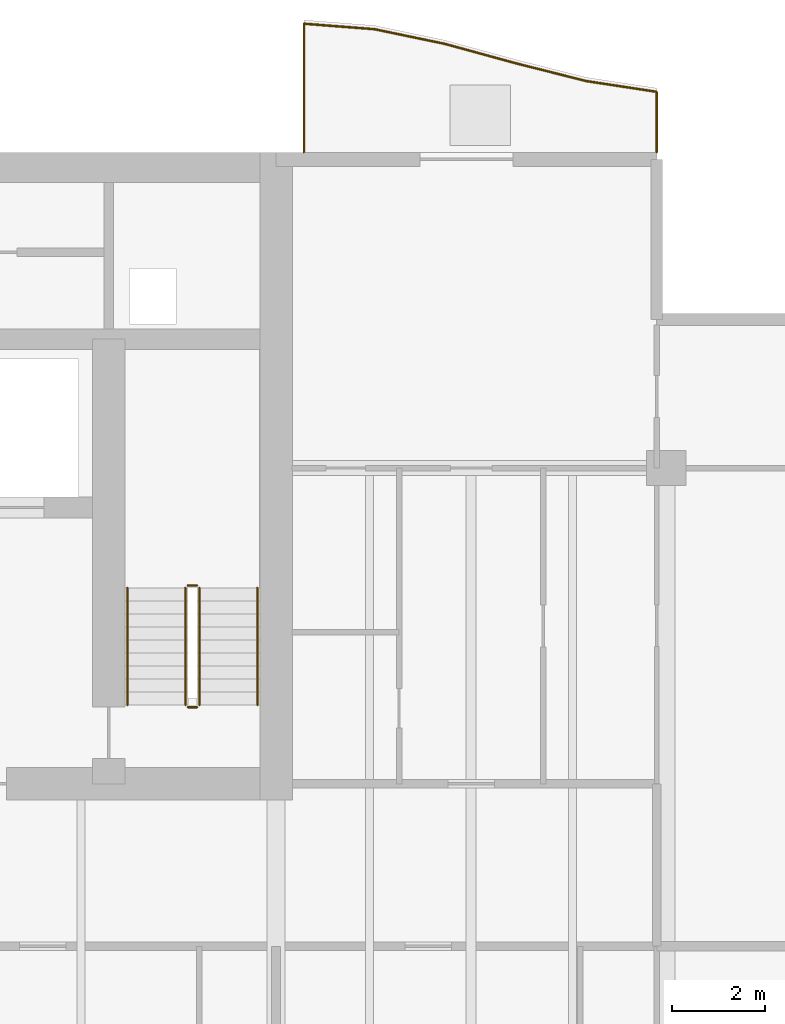
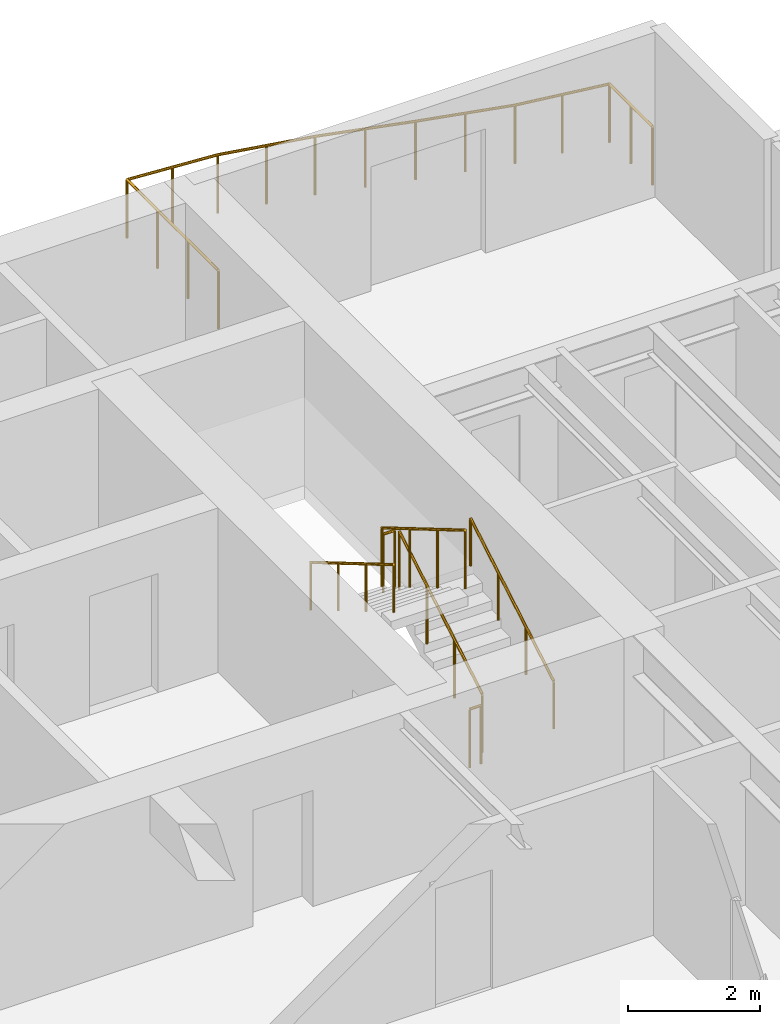
# One storey, part 18 of 19: 7 railings.
"""IFC4 building model written with IfcOpenShell, lengths in metres."""

from ifc_helpers import new_model, si_unit, direction, frame, origin, origin_2d, place, context, subcontext, project, spatial, circle, extrude, material, type_object, element, save


model = new_model("IFC4")

# Units and contexts
model_context = context("Model", 3, precision=1e-05, world=origin(), true_north=direction((0.0, 1.0)))
body_context = subcontext(model_context, "Body", "Model", "MODEL_VIEW")
ifc_project = project(units=[si_unit("LENGTHUNIT", "METRE"), si_unit("AREAUNIT", "SQUARE_METRE"), si_unit("VOLUMEUNIT", "CUBIC_METRE"), si_unit("PLANEANGLEUNIT", "RADIAN"), si_unit("MASSUNIT", "GRAM", prefix="KILO")], contexts=[model_context])

# Site, building, storey
site_placement = place(None, origin())
site = spatial("IfcSite", under=ifc_project, at=site_placement, CompositionType="ELEMENT")
building_placement = place(site_placement, origin())
building = spatial("IfcBuilding", under=site, at=building_placement, Name="Caelmar Bay Residences", CompositionType="ELEMENT")
storey_placement = place(building_placement, frame((0.0, 0.0, 191.699951171875)))
storey = spatial("IfcBuildingStorey", under=building, at=storey_placement, Name="L53", CompositionType="ELEMENT", Elevation=191.699951171875)

# Railings
ifc_material_1 = material(Name="Anodised bronze handrail with laminated hurricane glass infill", Category="glass")
railing_type_1 = type_object("IfcRailingType", Name="RL-BAL-1100", PredefinedType="BALUSTRADE", material=ifc_material_1)
railing_1_placement = place(storey_placement, frame((67.699951171875, 50.60009765625, 0.0)))
element("IfcRailing", 1, at=railing_1_placement, inside=storey, type_object=railing_type_1, Name="L53 north_east Balcony Balustrade", PredefinedType="BALUSTRADE", context=body_context, shape_type="SweptSolid", body=[
    extrude(circle(Radius=0.02392578125, at=origin_2d()), frame((0.0, 0.0, 1.076171875), z_axis=(0.0, 1.0, 0.0), x_axis=(-1.0, 0.0, 0.0)), (0.0, 0.0, 1.0), 1.30322265625),
    extrude(circle(Radius=0.02392578125, at=origin_2d()), frame((0.0, 1.30322265625, 1.076171875), z_axis=(-0.988581843738, 0.150684897158, 0.0), x_axis=(-0.150684897158, -0.988581843738, 0.0)), (0.0, 0.0, 1.0), 1.53759765625),
    extrude(circle(Radius=0.02392578125, at=origin_2d()), frame((-1.52001953125, 1.534912109375, 1.076171875), z_axis=(-0.969497919705, 0.245099538326, 0.0), x_axis=(-0.245099538326, -0.969497919705, 0.0)), (0.0, 0.0, 1.0), 1.56787109375),
    extrude(circle(Radius=0.02392578125, at=origin_2d()), frame((-3.0400390625, 1.919189453125, 1.076171875), z_axis=(-0.964527479323, 0.263982464627, 0.0), x_axis=(-0.263982464627, -0.964527479323, 0.0)), (0.0, 0.0, 1.0), 1.575927734375),
    extrude(circle(Radius=0.02392578125, at=origin_2d()), frame((-4.56005859375, 2.335205078125, 1.076171875), z_axis=(-0.978976494466, 0.20397309451, 0.0), x_axis=(-0.20397309451, -0.978976494466, 0.0)), (0.0, 0.0, 1.0), 1.552490234375),
    extrude(circle(Radius=0.02392578125, at=origin_2d()), frame((-6.079833984375, 2.65185546875, 1.076171875), z_axis=(-0.996991988413, 0.077504677544, 0.0), x_axis=(-0.077504677544, -0.996991988413, 0.0)), (0.0, 0.0, 1.0), 1.524658203125),
    extrude(circle(Radius=0.02392578125, at=origin_2d()), frame((-7.599853515625, 2.77001953125, 1.076171875), z_axis=(0.0, -1.0, 0.0), x_axis=(1.0, 0.0, 0.0)), (0.0, 0.0, 1.0), 2.77001953125),
    extrude(circle(Radius=0.02099609375, at=origin_2d()), origin(), (0.0, 0.0, 1.0), 1.052001953125),
    extrude(circle(Radius=0.02099609375, at=origin_2d()), frame((0.0, 0.651611328125, 0.0)), (0.0, 0.0, 1.0), 1.052001953125),
    extrude(circle(Radius=0.02099609375, at=origin_2d()), frame((0.0, 1.30322265625, 0.0)), (0.0, 0.0, 1.0), 1.052001953125),
    extrude(circle(Radius=0.02099609375, at=origin_2d()), frame((-0.760009765625, 1.4189453125, 0.0)), (0.0, 0.0, 1.0), 1.052001953125),
    extrude(circle(Radius=0.02099609375, at=origin_2d()), frame((-1.52001953125, 1.534912109375, 0.0)), (0.0, 0.0, 1.0), 1.052001953125),
    extrude(circle(Radius=0.02099609375, at=origin_2d()), frame((-2.280029296875, 1.72705078125, 0.0)), (0.0, 0.0, 1.0), 1.052001953125),
    extrude(circle(Radius=0.02099609375, at=origin_2d()), frame((-3.0400390625, 1.919189453125, 0.0)), (0.0, 0.0, 1.0), 1.052001953125),
    extrude(circle(Radius=0.02099609375, at=origin_2d()), frame((-3.800048828125, 2.127197265625, 0.0)), (0.0, 0.0, 1.0), 1.052001953125),
    extrude(circle(Radius=0.02099609375, at=origin_2d()), frame((-4.56005859375, 2.335205078125, 0.0)), (0.0, 0.0, 1.0), 1.052001953125),
    extrude(circle(Radius=0.02099609375, at=origin_2d()), frame((-5.31982421875, 2.49365234375, 0.0)), (0.0, 0.0, 1.0), 1.052001953125),
    extrude(circle(Radius=0.02099609375, at=origin_2d()), frame((-6.079833984375, 2.65185546875, 0.0)), (0.0, 0.0, 1.0), 1.052001953125),
    extrude(circle(Radius=0.02099609375, at=origin_2d()), frame((-6.83984375, 2.7109375, 0.0)), (0.0, 0.0, 1.0), 1.052001953125),
    extrude(circle(Radius=0.02099609375, at=origin_2d()), frame((-7.599853515625, 2.77001953125, 0.0)), (0.0, 0.0, 1.0), 1.052001953125),
    extrude(circle(Radius=0.02099609375, at=origin_2d()), frame((-7.599853515625, 1.8466796875, 0.0)), (0.0, 0.0, 1.0), 1.052001953125),
    extrude(circle(Radius=0.02099609375, at=origin_2d()), frame((-7.599853515625, 0.92333984375, 0.0)), (0.0, 0.0, 1.0), 1.052001953125),
    extrude(circle(Radius=0.02099609375, at=origin_2d()), frame((-7.599853515625, 0.0, 0.0)), (0.0, 0.0, 1.0), 1.052001953125),
])
ifc_material_2 = material(Name="Painted galvanized steel stair guard 1100 mm", Category="steel")
railing_type_2 = type_object("IfcRailingType", Name="RL-GRD-1100", PredefinedType="GUARDRAIL", material=ifc_material_2)
railing_2_placement = place(storey_placement, frame((57.85009765625, 38.699951171875, 0.1650390625)))
element("IfcRailing", 2, at=railing_2_placement, inside=storey, type_object=railing_type_2, Name="L53 ST2 stair guard 1", PredefinedType="GUARDRAIL", context=body_context, shape_type="SweptSolid", body=[
    extrude(circle(Radius=0.02392578125, at=origin_2d()), frame((0.0, 0.0, 1.076171875), z_axis=(0.0, 0.86152411907, 0.507716645641), x_axis=(-1.0, 0.0, 0.0)), (0.0, 0.0, 1.0), 2.925048828125),
    extrude(circle(Radius=0.02099609375, at=origin_2d()), origin(), (0.0, 0.0, 1.0), 1.052001953125),
    extrude(circle(Radius=0.02099609375, at=origin_2d()), frame((0.0, 0.840087890625, 0.4951171875)), (0.0, 0.0, 1.0), 1.052001953125),
    extrude(circle(Radius=0.02099609375, at=origin_2d()), frame((0.0, 1.679931640625, 0.989990234375)), (0.0, 0.0, 1.0), 1.052001953125),
    extrude(circle(Radius=0.02099609375, at=origin_2d()), frame((0.0, 2.52001953125, 1.485107421875)), (0.0, 0.0, 1.0), 1.052001953125),
])
railing_3_placement = place(storey_placement, frame((57.800048828125, 41.27001953125, 1.650146484375)))
element("IfcRailing", 3, at=railing_3_placement, inside=storey, type_object=railing_type_2, Name="L53 ST2 stair guard 2", PredefinedType="GUARDRAIL", context=body_context, shape_type="SweptSolid", body=[
    extrude(circle(Radius=0.02392578125, at=origin_2d()), frame((0.0, 0.0, 1.076171875), z_axis=(-1.0, 0.0, 0.0), x_axis=(0.0, -1.0, 0.0)), (0.0, 0.0, 1.0), 0.199951171875),
    extrude(circle(Radius=0.02099609375, at=origin_2d()), origin(), (0.0, 0.0, 1.0), 1.052001953125),
    extrude(circle(Radius=0.02099609375, at=origin_2d()), frame((-0.199951171875, 0.0, 0.0)), (0.0, 0.0, 1.0), 1.052001953125),
])
railing_4_placement = place(storey_placement, frame((57.550048828125, 41.219970703125, 1.81494140625)))
element("IfcRailing", 4, at=railing_4_placement, inside=storey, type_object=railing_type_2, Name="L53 ST2 stair guard 3", PredefinedType="GUARDRAIL", context=body_context, shape_type="SweptSolid", body=[
    extrude(circle(Radius=0.02392578125, at=origin_2d()), frame((0.0, 0.0, 1.076171875), z_axis=(0.0, -0.86152411907, 0.507716645641), x_axis=(1.0, 0.0, 0.0)), (0.0, 0.0, 1.0), 2.925048828125),
    extrude(circle(Radius=0.02099609375, at=origin_2d()), origin(), (0.0, 0.0, 1.0), 1.052001953125),
    extrude(circle(Radius=0.02099609375, at=origin_2d()), frame((0.0, -0.840087890625, 0.4951171875)), (0.0, 0.0, 1.0), 1.052001953125),
    extrude(circle(Radius=0.02099609375, at=origin_2d()), frame((0.0, -1.679931640625, 0.989990234375)), (0.0, 0.0, 1.0), 1.052001953125),
    extrude(circle(Radius=0.02099609375, at=origin_2d()), frame((0.0, -2.52001953125, 1.485107421875)), (0.0, 0.0, 1.0), 1.052001953125),
])
railing_5_placement = place(storey_placement, frame((57.800048828125, 38.64990234375, 0.0)))
element("IfcRailing", 5, at=railing_5_placement, inside=storey, type_object=railing_type_2, Name="L53 ST2 stair guard 4", PredefinedType="GUARDRAIL", context=body_context, shape_type="SweptSolid", body=[
    extrude(circle(Radius=0.02392578125, at=origin_2d()), frame((0.0, 0.0, 1.076171875), z_axis=(-1.0, 0.0, 0.0), x_axis=(0.0, -1.0, 0.0)), (0.0, 0.0, 1.0), 0.199951171875),
    extrude(circle(Radius=0.02099609375, at=origin_2d()), origin(), (0.0, 0.0, 1.0), 1.052001953125),
    extrude(circle(Radius=0.02099609375, at=origin_2d()), frame((-0.199951171875, 0.0, 0.0)), (0.0, 0.0, 1.0), 1.052001953125),
])
ifc_material_3 = material(Name="Brushed bronze stainless-steel tubular handrail 900 mm", Category="steel")
railing_type_3 = type_object("IfcRailingType", Name="RL-HND-900", PredefinedType="HANDRAIL", material=ifc_material_3)
railing_6_placement = place(storey_placement, frame((59.10009765625, 38.699951171875, 0.1650390625)))
element("IfcRailing", 6, at=railing_6_placement, inside=storey, type_object=railing_type_3, Name="L53 ST2 stair handrail 1", PredefinedType="HANDRAIL", context=body_context, shape_type="SweptSolid", body=[
    extrude(circle(Radius=0.02392578125, at=origin_2d()), frame((0.0, 0.0, 0.8759765625), z_axis=(0.0, 0.86152411907, 0.507716645641), x_axis=(-1.0, 0.0, 0.0)), (0.0, 0.0, 1.0), 2.925048828125),
    extrude(circle(Radius=0.02099609375, at=origin_2d()), origin(), (0.0, 0.0, 1.0), 0.851806640625),
    extrude(circle(Radius=0.02099609375, at=origin_2d()), frame((0.0, 0.840087890625, 0.4951171875)), (0.0, 0.0, 1.0), 0.851806640625),
    extrude(circle(Radius=0.02099609375, at=origin_2d()), frame((0.0, 1.679931640625, 0.989990234375)), (0.0, 0.0, 1.0), 0.851806640625),
    extrude(circle(Radius=0.02099609375, at=origin_2d()), frame((0.0, 2.52001953125, 1.485107421875)), (0.0, 0.0, 1.0), 0.851806640625),
])
railing_7_placement = place(storey_placement, frame((56.300048828125, 41.219970703125, 1.81494140625)))
element("IfcRailing", 7, at=railing_7_placement, inside=storey, type_object=railing_type_3, Name="L53 ST2 stair handrail 2", PredefinedType="HANDRAIL", context=body_context, shape_type="SweptSolid", body=[
    extrude(circle(Radius=0.02392578125, at=origin_2d()), frame((0.0, 0.0, 0.8759765625), z_axis=(0.0, -0.86152411907, 0.507716645641), x_axis=(1.0, 0.0, 0.0)), (0.0, 0.0, 1.0), 2.925048828125),
    extrude(circle(Radius=0.02099609375, at=origin_2d()), origin(), (0.0, 0.0, 1.0), 0.851806640625),
    extrude(circle(Radius=0.02099609375, at=origin_2d()), frame((0.0, -0.840087890625, 0.4951171875)), (0.0, 0.0, 1.0), 0.851806640625),
    extrude(circle(Radius=0.02099609375, at=origin_2d()), frame((0.0, -1.679931640625, 0.989990234375)), (0.0, 0.0, 1.0), 0.851806640625),
    extrude(circle(Radius=0.02099609375, at=origin_2d()), frame((0.0, -2.52001953125, 1.485107421875)), (0.0, 0.0, 1.0), 0.851806640625),
])

save(model, "model.ifc")
